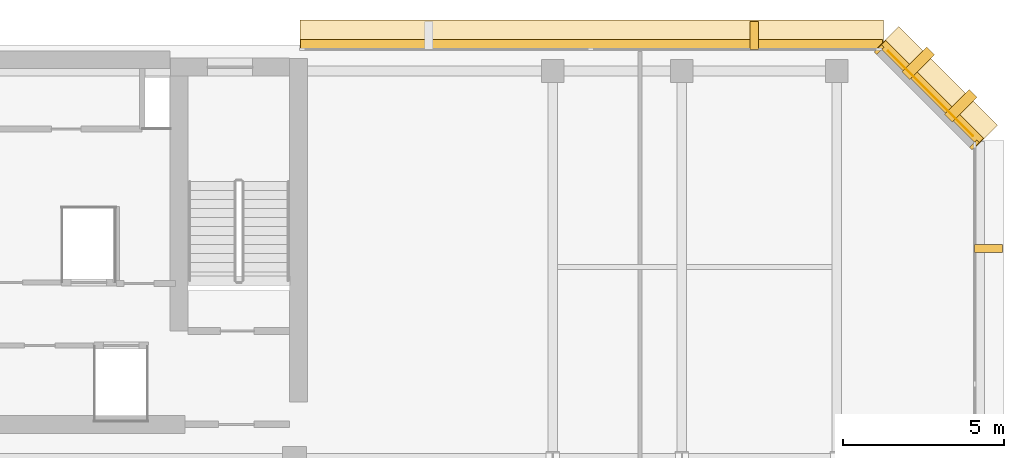
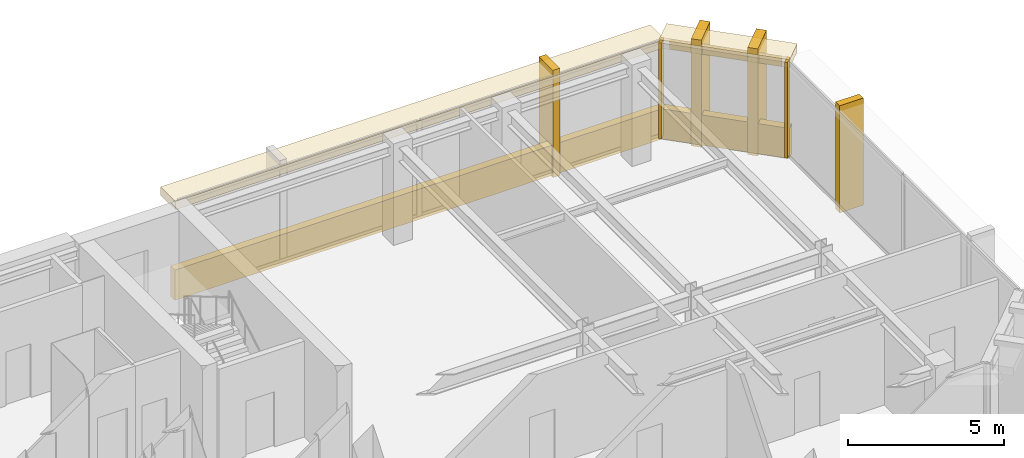
# One storey, part 11 of 11: 11 coverings.
"""IFC4 building model written with IfcOpenShell, lengths in metres."""

from ifc_helpers import new_model, si_unit, direction, frame, origin, origin_2d, place, context, subcontext, project, spatial, rectangle, extrude, material, layer, layer_set, type_object, element, save


model = new_model("IFC4")

# Units and contexts
model_context = context("Model", 3, precision=1e-05, world=origin(), true_north=direction((0.0, 1.0)))
body_context = subcontext(model_context, "Body", "Model", "MODEL_VIEW")
ifc_project = project(units=[si_unit("LENGTHUNIT", "METRE"), si_unit("AREAUNIT", "SQUARE_METRE"), si_unit("VOLUMEUNIT", "CUBIC_METRE"), si_unit("PLANEANGLEUNIT", "RADIAN"), si_unit("MASSUNIT", "GRAM", prefix="KILO")], contexts=[model_context])

# Site, building, storey
site_placement = place(None, origin())
site = spatial("IfcSite", under=ifc_project, at=site_placement, CompositionType="ELEMENT")
building_placement = place(site_placement, origin())
building = spatial("IfcBuilding", under=site, at=building_placement, Name="Kefirva Bronze Tower", CompositionType="ELEMENT")
storey_placement = place(building_placement, frame((0.0, 0.0, 284.1298828125)))
storey = spatial("IfcBuildingStorey", under=building, at=storey_placement, Name="L69", CompositionType="ELEMENT", Elevation=284.1298828125)

# Coverings
ifc_material = material(Name="Bronze anodised aluminium", Category="aluminium")
ifc_layer_1 = layer(ifc_material, 0.02001953125, Name="Bronze anodised aluminium")
ifc_layer_set_1 = layer_set([ifc_layer_1], Name="Bronze anodised aluminium")
covering_type_1 = type_object("IfcCoveringType", Name="Anodised Bronze Spandrel Cladding 20mm", PredefinedType="CLADDING", material=ifc_layer_set_1)
covering_1_placement = place(storey_placement, frame((42.906982421875, 44.507080078125, 3.320068359375), z_axis=(0.0, 0.0, 1.0), x_axis=(-0.707106781187, 0.707106781187, 0.0)))
element("IfcCovering", 1, at=covering_1_placement, inside=storey, type_object=covering_type_1, Name="L69 Bronze Spandrel Cladding 5", PredefinedType="CLADDING", context=body_context, shape_type="SweptSolid", body=[
    extrude(rectangle(XDim=3.719482421875, YDim=0.02001953125, at=origin_2d()), origin(), (0.0, 0.0, 1.0), 0.39990234375),
])
for number, where, z_axis, x_axis, name in (
    (2, (44.26220703125, 42.91162109375, 0.0), (0.0, 0.0, 1.0), (-0.707106781187, 0.707106781187, 0.0), "L69 Facade Joint Closure Panel 5S"),
    (3, (41.311767578125, 45.862060546875, 0.0), (0.0, 0.0, 1.0), (-0.707106781187, 0.707106781187, 0.0), "L69 Facade Joint Closure Panel 5E"),
):
    element("IfcCovering", number, at=place(storey_placement, frame(where, z_axis=z_axis, x_axis=x_axis)), inside=storey, type_object=covering_type_1, Name=name, PredefinedType="CLADDING", context=body_context, shape_type="SweptSolid", body=[
        extrude(rectangle(XDim=0.10009765625, YDim=0.320068359375, at=origin_2d()), origin(), (0.0, 0.0, 1.0), 3.739990234375),
    ])
covering_2_placement = place(storey_placement, frame((42.92822265625, 44.5283203125, -0.15966796875), z_axis=(0.0, 0.0, 1.0), x_axis=(-0.707106781187, 0.707106781187, 0.0)))
element("IfcCovering", 4, at=covering_2_placement, inside=storey, type_object=covering_type_1, Name="L69 Streamline Horizontal Spandrel Band 7", PredefinedType="CLADDING", context=body_context, shape_type="SweptSolid", body=[
    extrude(rectangle(XDim=4.28271484375, YDim=0.280029296875, at=origin_2d()), origin(), (0.0, 0.0, 1.0), 1.179931640625),
])
covering_3_placement = place(storey_placement, frame((32.402587890625, 46.0400390625, -0.15966796875), z_axis=(0.0, 0.0, 1.0), x_axis=(-1.0, 0.0, 0.0)))
element("IfcCovering", 5, at=covering_3_placement, inside=storey, type_object=covering_type_1, Name="L69 Streamline Horizontal Spandrel Band 8", PredefinedType="CLADDING", context=body_context, shape_type="SweptSolid", body=[
    extrude(rectangle(XDim=18.034912109375, YDim=0.280029296875, at=origin_2d()), origin(), (0.0, 0.0, 1.0), 1.179931640625),
])
ifc_layer_2 = layer(ifc_material, 0.179931640625, Name="Bronze anodised aluminium")
ifc_layer_set_2 = layer_set([ifc_layer_2], Name="Bronze anodised aluminium")
covering_type_2 = type_object("IfcCoveringType", Name="Streamline Bronze Sunshade Eyebrow Cladding 180mm", PredefinedType="CLADDING", material=ifc_layer_set_2)
covering_4_placement = place(storey_placement, frame((43.119140625, 44.71923828125, 3.419921875), z_axis=(0.0, 0.0, 1.0), x_axis=(-0.707106781187, 0.707106781187, 0.0)))
element("IfcCovering", 6, at=covering_4_placement, inside=storey, type_object=covering_type_2, Name="L69 Streamline Bronze Sunshade Eyebrow 7", PredefinedType="CLADDING", context=body_context, shape_type="SweptSolid", body=[
    extrude(rectangle(XDim=4.322509765625, YDim=0.93994140625, at=origin_2d()), origin(), (0.0, 0.0, 1.0), 0.320068359375),
])
covering_5_placement = place(storey_placement, frame((32.402587890625, 46.31005859375, 3.419921875), z_axis=(0.0, 0.0, 1.0), x_axis=(-1.0, 0.0, 0.0)))
element("IfcCovering", 7, at=covering_5_placement, inside=storey, type_object=covering_type_2, Name="L69 Streamline Bronze Sunshade Eyebrow 8", PredefinedType="CLADDING", context=body_context, shape_type="SweptSolid", body=[
    extrude(rectangle(XDim=18.074951171875, YDim=0.93994140625, at=origin_2d()), origin(), (0.0, 0.0, 1.0), 0.320068359375),
])
ifc_layer_3 = layer(ifc_material, 0.260009765625, Name="Bronze anodised aluminium")
ifc_layer_set_3 = layer_set([ifc_layer_3], Name="Bronze anodised aluminium")
covering_type_3 = type_object("IfcCoveringType", Name="Unbroken Bronze Buttress Fin Cladding 260mm", PredefinedType="CLADDING", material=ifc_layer_set_3)
covering_6_placement = place(storey_placement, frame((44.699951171875, 39.699951171875, -0.2197265625), z_axis=(0.0, 0.0, 1.0), x_axis=(0.0, 1.0, 0.0)))
element("IfcCovering", 8, at=covering_6_placement, inside=storey, type_object=covering_type_3, Name="L69 Unbroken Vertical Bronze Rib Fin 14", PredefinedType="CLADDING", context=body_context, shape_type="SweptSolid", body=[
    extrude(rectangle(XDim=0.260009765625, YDim=0.8798828125, at=origin_2d()), origin(), (0.0, 0.0, 1.0), 4.179931640625),
])
for number, where, z_axis, x_axis, name in (
    (9, (43.8427734375, 44.122802734375, -0.2197265625), (0.0, 0.0, 1.0), (-0.707106781187, 0.707106781187, 0.0), "L69 Chamfered Corner Buttress Fin Cladding 15"),
    (10, (42.522705078125, 45.44287109375, -0.2197265625), (0.0, 0.0, 1.0), (-0.707106781187, 0.707106781187, 0.0), "L69 Chamfered Corner Buttress Fin Cladding 16"),
):
    element("IfcCovering", number, at=place(storey_placement, frame(where, z_axis=z_axis, x_axis=x_axis)), inside=storey, type_object=covering_type_3, Name=name, PredefinedType="CLADDING", context=body_context, shape_type="SweptSolid", body=[
        extrude(rectangle(XDim=0.340087890625, YDim=1.080078125, at=origin_2d()), origin(), (0.0, 0.0, 1.0), 4.179931640625),
    ])
covering_7_placement = place(storey_placement, frame((37.441162109375, 46.300048828125, -0.2197265625), z_axis=(0.0, 0.0, 1.0), x_axis=(-1.0, 0.0, 0.0)))
element("IfcCovering", 11, at=covering_7_placement, inside=storey, type_object=covering_type_3, Name="L69 Unbroken Vertical Bronze Rib Fin 17", PredefinedType="CLADDING", context=body_context, shape_type="SweptSolid", body=[
    extrude(rectangle(XDim=0.260009765625, YDim=0.8798828125, at=origin_2d()), origin(), (0.0, 0.0, 1.0), 4.179931640625),
])

save(model, "model.ifc")
